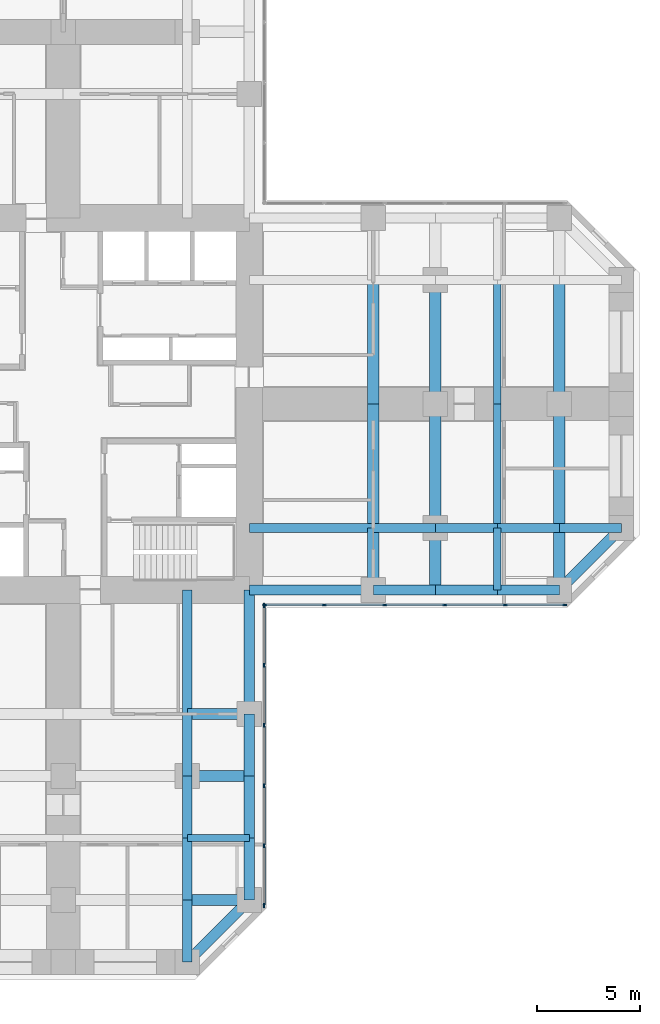
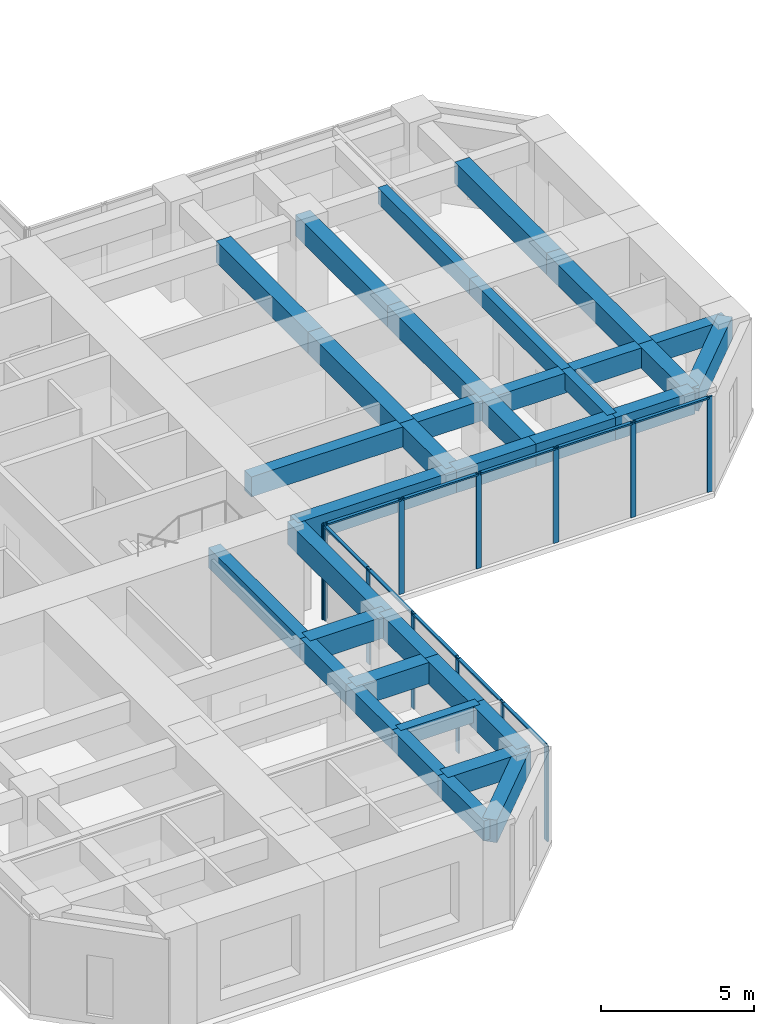
# One storey, part 4 of 13: 36 beams, 22 members, 2 elements without a shape of their own.
"""IFC4 building model written with IfcOpenShell, lengths in metres."""

from ifc_helpers import new_model, si_unit, direction, frame, origin, origin_2d, place, context, subcontext, project, spatial, rectangle, extrude, material, material_profile, profile_set, type_object, element, aggregate, save


model = new_model("IFC4")

# Units and contexts
model_context = context("Model", 3, precision=1e-05, world=origin(), true_north=direction((0.0, 1.0)))
body_context = subcontext(model_context, "Body", "Model", "MODEL_VIEW")
ifc_project = project(units=[si_unit("LENGTHUNIT", "METRE"), si_unit("AREAUNIT", "SQUARE_METRE"), si_unit("VOLUMEUNIT", "CUBIC_METRE"), si_unit("PLANEANGLEUNIT", "RADIAN"), si_unit("MASSUNIT", "GRAM", prefix="KILO")], contexts=[model_context])

# Site, building, storey
site_placement = place(None, origin())
site = spatial("IfcSite", under=ifc_project, at=site_placement, CompositionType="ELEMENT")
building_placement = place(site_placement, origin())
building = spatial("IfcBuilding", under=site, at=building_placement, Name="Torre Cruceta", CompositionType="ELEMENT")
storey_placement = place(building_placement, frame((0.0, 0.0, 27.5)))
storey = spatial("IfcBuildingStorey", under=building, at=storey_placement, Name="L06", CompositionType="ELEMENT", Elevation=27.5)

# Beams
ifc_material_1 = material(Name="Concrete G60 (fck 60 MPa)", Category="concrete")
ifc_material_profile_1 = material_profile(ifc_material_1, rectangle(XDim=0.449951171875, YDim=0.800048828125, at=origin_2d()), Name="RC 450X800")
ifc_profile_set_1 = profile_set([ifc_material_profile_1], Name="Concrete G60 (fck 60 MPa)")
beam_type_1 = type_object("IfcBeamType", Name="COLUMN LINE BEAM RC 450X800", PredefinedType="BEAM", material=ifc_profile_set_1)
beam_1_placement = place(storey_placement, frame((9.0, -6.0, 3.39990234375), z_axis=(1.0, 0.0, 0.0), x_axis=(0.0, 1.0, 0.0)))
element("IfcBeam", 1, at=beam_1_placement, inside=storey, type_object=beam_type_1, Name="LB1 L06 E col- 1", PredefinedType="BEAM", context=body_context, shape_type="SweptSolid", body=[
    extrude(rectangle(XDim=0.449951171875, YDim=0.800048828125, at=origin_2d()), origin(), (0.0, 0.0, 1.0), 6.0),
])
for number, where, z_axis, x_axis, name in (
    (2, (15.0, -6.0, 3.39990234375), (1.0, 0.0, 0.0), (0.0, 1.0, 0.0), "LB1 L06 E col- 2"),
    (3, (18.0, -6.0, 3.39990234375), (1.0, 0.0, 0.0), (0.0, 1.0, 0.0), "LB1 L06 E col- 3"),
    (4, (21.0, -6.0, 3.39990234375), (1.0, 0.0, 0.0), (0.0, 1.0, 0.0), "LB1 L06 E col- 4"),
    (5, (24.0, -6.0, 3.39990234375), (1.0, 0.0, 0.0), (0.0, 1.0, 0.0), "LB1 L06 E col- 5"),
):
    element("IfcBeam", number, at=place(storey_placement, frame(where, z_axis=z_axis, x_axis=x_axis)), inside=storey, type_object=beam_type_1, Name=name, PredefinedType="BEAM", context=body_context, shape_type="SweptSolid", body=[
        extrude(rectangle(XDim=0.449951171875, YDim=0.800048828125, at=origin_2d()), origin(), (0.0, 0.0, 1.0), 3.0),
    ])
beam_2_placement = place(storey_placement, frame((6.0, -9.0, 3.39990234375), z_axis=(0.0, -1.0, 0.0), x_axis=(1.0, 0.0, 0.0)))
element("IfcBeam", 6, at=beam_2_placement, inside=storey, type_object=beam_type_1, Name="LB1 L06 S col+ 1", PredefinedType="BEAM", context=body_context, shape_type="SweptSolid", body=[
    extrude(rectangle(XDim=0.449951171875, YDim=0.800048828125, at=origin_2d()), origin(), (0.0, 0.0, 1.0), 6.0),
])
for number, where, z_axis, x_axis, name in (
    (7, (6.0, -15.0, 3.39990234375), (0.0, -1.0, 0.0), (1.0, 0.0, 0.0), "LB1 L06 S col+ 2"),
    (8, (6.0, -18.0, 3.39990234375), (0.0, -1.0, 0.0), (1.0, 0.0, 0.0), "LB1 L06 S col+ 3"),
    (9, (6.0, -21.0, 3.39990234375), (0.0, -1.0, 0.0), (1.0, 0.0, 0.0), "LB1 L06 S col+ 4"),
    (10, (6.0, -24.0, 3.39990234375), (0.0, -1.0, 0.0), (1.0, 0.0, 0.0), "LB1 L06 S col+ 5"),
):
    element("IfcBeam", number, at=place(storey_placement, frame(where, z_axis=z_axis, x_axis=x_axis)), inside=storey, type_object=beam_type_1, Name=name, PredefinedType="BEAM", context=body_context, shape_type="SweptSolid", body=[
        extrude(rectangle(XDim=0.449951171875, YDim=0.800048828125, at=origin_2d()), origin(), (0.0, 0.0, 1.0), 3.0),
    ])
ifc_material_2 = material(Name="Concrete G60 (fck 60 MPa)", Category="concrete")
ifc_material_profile_2 = material_profile(ifc_material_2, rectangle(XDim=0.550048828125, YDim=0.85009765625, at=origin_2d()), Name="RC 550X850")
ifc_profile_set_2 = profile_set([ifc_material_profile_2], Name="Concrete G60 (fck 60 MPa)")
beam_type_2 = type_object("IfcBeamType", Name="CROSS BEAM RC 550X850", PredefinedType="BEAM", material=ifc_profile_set_2)
beam_3_placement = place(storey_placement, frame((15.0, -9.0, 3.375), z_axis=(0.0, 1.0, 0.0), x_axis=(-1.0, 0.0, 0.0)))
element("IfcBeam", 11, at=beam_3_placement, inside=storey, type_object=beam_type_2, Name="GB4 L06 E cross15 1", PredefinedType="BEAM", context=body_context, shape_type="SweptSolid", body=[
    extrude(rectangle(XDim=0.550048828125, YDim=0.85009765625, at=origin_2d()), origin(), (0.0, 0.0, 1.0), 3.0),
])
for number, where, z_axis, x_axis, name in (
    (12, (15.0, -6.0, 3.375), (0.0, 1.0, 0.0), (-1.0, 0.0, 0.0), "GB4 L06 E cross15 2"),
    (13, (15.0, 0.0, 3.375), (0.0, 1.0, 0.0), (-1.0, 0.0, 0.0), "GB4 L06 E cross15 3"),
):
    element("IfcBeam", number, at=place(storey_placement, frame(where, z_axis=z_axis, x_axis=x_axis)), inside=storey, type_object=beam_type_2, Name=name, PredefinedType="BEAM", context=body_context, shape_type="SweptSolid", body=[
        extrude(rectangle(XDim=0.550048828125, YDim=0.85009765625, at=origin_2d()), origin(), (0.0, 0.0, 1.0), 6.0),
    ])
beam_4_placement = place(storey_placement, frame((18.0, -9.0, 3.375), z_axis=(0.0, 1.0, 0.0), x_axis=(-1.0, 0.0, 0.0)))
element("IfcBeam", 14, at=beam_4_placement, inside=storey, type_object=beam_type_2, Name="GB4 L06 E cross18 1", PredefinedType="BEAM", context=body_context, shape_type="SweptSolid", body=[
    extrude(rectangle(XDim=0.550048828125, YDim=0.85009765625, at=origin_2d()), origin(), (0.0, 0.0, 1.0), 3.0),
])
for number, where, z_axis, x_axis, name in (
    (15, (18.0, -6.0, 3.375), (0.0, 1.0, 0.0), (-1.0, 0.0, 0.0), "GB4 L06 E cross18 2"),
    (16, (18.0, 0.0, 3.375), (0.0, 1.0, 0.0), (-1.0, 0.0, 0.0), "GB4 L06 E cross18 3"),
):
    element("IfcBeam", number, at=place(storey_placement, frame(where, z_axis=z_axis, x_axis=x_axis)), inside=storey, type_object=beam_type_2, Name=name, PredefinedType="BEAM", context=body_context, shape_type="SweptSolid", body=[
        extrude(rectangle(XDim=0.550048828125, YDim=0.85009765625, at=origin_2d()), origin(), (0.0, 0.0, 1.0), 6.0),
    ])
beam_5_placement = place(storey_placement, frame((24.0, -9.0, 3.375), z_axis=(0.0, 1.0, 0.0), x_axis=(-1.0, 0.0, 0.0)))
element("IfcBeam", 17, at=beam_5_placement, inside=storey, type_object=beam_type_2, Name="GB4 L06 E cross24 1", PredefinedType="BEAM", context=body_context, shape_type="SweptSolid", body=[
    extrude(rectangle(XDim=0.550048828125, YDim=0.85009765625, at=origin_2d()), origin(), (0.0, 0.0, 1.0), 3.0),
])
for number, where, z_axis, x_axis, name in (
    (18, (24.0, -6.0, 3.375), (0.0, 1.0, 0.0), (-1.0, 0.0, 0.0), "GB4 L06 E cross24 2"),
    (19, (24.0, 0.0, 3.375), (0.0, 1.0, 0.0), (-1.0, 0.0, 0.0), "GB4 L06 E cross24 3"),
):
    element("IfcBeam", number, at=place(storey_placement, frame(where, z_axis=z_axis, x_axis=x_axis)), inside=storey, type_object=beam_type_2, Name=name, PredefinedType="BEAM", context=body_context, shape_type="SweptSolid", body=[
        extrude(rectangle(XDim=0.550048828125, YDim=0.85009765625, at=origin_2d()), origin(), (0.0, 0.0, 1.0), 6.0),
    ])
for number, where, z_axis, x_axis, name in (
    (20, (6.0, -15.0, 3.375), (1.0, 0.0, 0.0), (0.0, 1.0, 0.0), "GB4 L06 S cross15 4"),
    (21, (6.0, -18.0, 3.375), (1.0, 0.0, 0.0), (0.0, 1.0, 0.0), "GB4 L06 S cross18 4"),
    (22, (6.0, -24.0, 3.375), (1.0, 0.0, 0.0), (0.0, 1.0, 0.0), "GB4 L06 S cross24 4"),
):
    element("IfcBeam", number, at=place(storey_placement, frame(where, z_axis=z_axis, x_axis=x_axis)), inside=storey, type_object=beam_type_2, Name=name, PredefinedType="BEAM", context=body_context, shape_type="SweptSolid", body=[
        extrude(rectangle(XDim=0.550048828125, YDim=0.85009765625, at=origin_2d()), origin(), (0.0, 0.0, 1.0), 3.0),
    ])

# Curtain wall, members
ifc_material_3 = material(Name="Aluminium unitised curtain wall", Category="aluminium")
curtain_wall_type = type_object("IfcCurtainWallType", Name="CURTAIN WALL CW-A OFFICE LOW RISE", PredefinedType="USERDEFINED", material=ifc_material_3)
curtain_wall_1_placement = place(storey_placement, origin())
curtain_wall_1 = element("IfcCurtainWall", 23, at=curtain_wall_1_placement, inside=storey, type_object=curtain_wall_type, Name="CW-A L06 E side 00", ObjectType="UNITISED", PredefinedType="USERDEFINED")
ifc_material_4 = material(Name="Aluminium mullion", Category="aluminium")
ifc_material_profile_3 = material_profile(ifc_material_4, rectangle(XDim=0.06494140625, YDim=0.199951171875, at=origin_2d()), Name="AL 65X200")
ifc_profile_set_3 = profile_set([ifc_material_profile_3], Name="Aluminium mullion")
member_type_1 = type_object("IfcMemberType", Name="CW-A MULLION 65X200", PredefinedType="MULLION", material=ifc_profile_set_3)
member_1_placement = place(storey_placement, frame((9.75244140625, -9.719970703125, 0.0), z_axis=(0.0, 0.0, 1.0), x_axis=(0.0, 1.0, 0.0)))
member_1 = element("IfcMember", 24, at=member_1_placement, type_object=member_type_1, Name="CW-A mullion 1", PredefinedType="MULLION", context=body_context, shape_type="SweptSolid", body=[
    extrude(rectangle(XDim=0.06494140625, YDim=0.199951171875, at=origin_2d()), origin(), (0.0, 0.0, 1.0), 3.800048828125),
])
member_2_placement = place(storey_placement, frame((12.6357421875, -9.719970703125, 0.0), z_axis=(0.0, 0.0, 1.0), x_axis=(0.0, 1.0, 0.0)))
member_2 = element("IfcMember", 25, at=member_2_placement, type_object=member_type_1, Name="CW-A mullion 2", PredefinedType="MULLION", context=body_context, shape_type="SweptSolid", body=[
    extrude(rectangle(XDim=0.06494140625, YDim=0.199951171875, at=origin_2d()), origin(), (0.0, 0.0, 1.0), 3.800048828125),
])
member_3_placement = place(storey_placement, frame((15.55126953125, -9.719970703125, 0.0), z_axis=(0.0, 0.0, 1.0), x_axis=(0.0, 1.0, 0.0)))
member_3 = element("IfcMember", 26, at=member_3_placement, type_object=member_type_1, Name="CW-A mullion 3", PredefinedType="MULLION", context=body_context, shape_type="SweptSolid", body=[
    extrude(rectangle(XDim=0.06494140625, YDim=0.199951171875, at=origin_2d()), origin(), (0.0, 0.0, 1.0), 3.800048828125),
])
member_4_placement = place(storey_placement, frame((18.467041015625, -9.719970703125, 0.0), z_axis=(0.0, 0.0, 1.0), x_axis=(0.0, 1.0, 0.0)))
member_4 = element("IfcMember", 27, at=member_4_placement, type_object=member_type_1, Name="CW-A mullion 4", PredefinedType="MULLION", context=body_context, shape_type="SweptSolid", body=[
    extrude(rectangle(XDim=0.06494140625, YDim=0.199951171875, at=origin_2d()), origin(), (0.0, 0.0, 1.0), 3.800048828125),
])
member_5_placement = place(storey_placement, frame((21.382568359375, -9.719970703125, 0.0), z_axis=(0.0, 0.0, 1.0), x_axis=(0.0, 1.0, 0.0)))
member_5 = element("IfcMember", 28, at=member_5_placement, type_object=member_type_1, Name="CW-A mullion 5", PredefinedType="MULLION", context=body_context, shape_type="SweptSolid", body=[
    extrude(rectangle(XDim=0.06494140625, YDim=0.199951171875, at=origin_2d()), origin(), (0.0, 0.0, 1.0), 3.800048828125),
])
member_6_placement = place(storey_placement, frame((24.265625, -9.719970703125, 0.0), z_axis=(0.0, 0.0, 1.0), x_axis=(0.0, 1.0, 0.0)))
member_6 = element("IfcMember", 29, at=member_6_placement, type_object=member_type_1, Name="CW-A mullion 6", PredefinedType="MULLION", context=body_context, shape_type="SweptSolid", body=[
    extrude(rectangle(XDim=0.06494140625, YDim=0.199951171875, at=origin_2d()), origin(), (0.0, 0.0, 1.0), 3.800048828125),
])

curtain_wall_2_placement = place(storey_placement, origin())
curtain_wall_2 = element("IfcCurtainWall", 30, at=curtain_wall_2_placement, inside=storey, type_object=curtain_wall_type, Name="CW-A L06 S side 19", ObjectType="UNITISED", PredefinedType="USERDEFINED")
member_7_placement = place(storey_placement, frame((9.719970703125, -24.265625, 0.0), z_axis=(0.0, 0.0, 1.0), x_axis=(-1.0, 0.0, 0.0)))
member_7 = element("IfcMember", 31, at=member_7_placement, type_object=member_type_1, Name="CW-A mullion 1", PredefinedType="MULLION", context=body_context, shape_type="SweptSolid", body=[
    extrude(rectangle(XDim=0.06494140625, YDim=0.199951171875, at=origin_2d()), origin(), (0.0, 0.0, 1.0), 3.800048828125),
])
member_8_placement = place(storey_placement, frame((9.719970703125, -21.382568359375, 0.0), z_axis=(0.0, 0.0, 1.0), x_axis=(-1.0, 0.0, 0.0)))
member_8 = element("IfcMember", 32, at=member_8_placement, type_object=member_type_1, Name="CW-A mullion 2", PredefinedType="MULLION", context=body_context, shape_type="SweptSolid", body=[
    extrude(rectangle(XDim=0.06494140625, YDim=0.199951171875, at=origin_2d()), origin(), (0.0, 0.0, 1.0), 3.800048828125),
])
member_9_placement = place(storey_placement, frame((9.719970703125, -18.467041015625, 0.0), z_axis=(0.0, 0.0, 1.0), x_axis=(-1.0, 0.0, 0.0)))
member_9 = element("IfcMember", 33, at=member_9_placement, type_object=member_type_1, Name="CW-A mullion 3", PredefinedType="MULLION", context=body_context, shape_type="SweptSolid", body=[
    extrude(rectangle(XDim=0.06494140625, YDim=0.199951171875, at=origin_2d()), origin(), (0.0, 0.0, 1.0), 3.800048828125),
])
member_10_placement = place(storey_placement, frame((9.719970703125, -15.55126953125, 0.0), z_axis=(0.0, 0.0, 1.0), x_axis=(-1.0, 0.0, 0.0)))
member_10 = element("IfcMember", 34, at=member_10_placement, type_object=member_type_1, Name="CW-A mullion 4", PredefinedType="MULLION", context=body_context, shape_type="SweptSolid", body=[
    extrude(rectangle(XDim=0.06494140625, YDim=0.199951171875, at=origin_2d()), origin(), (0.0, 0.0, 1.0), 3.800048828125),
])
member_11_placement = place(storey_placement, frame((9.719970703125, -12.6357421875, 0.0), z_axis=(0.0, 0.0, 1.0), x_axis=(-1.0, 0.0, 0.0)))
member_11 = element("IfcMember", 35, at=member_11_placement, type_object=member_type_1, Name="CW-A mullion 5", PredefinedType="MULLION", context=body_context, shape_type="SweptSolid", body=[
    extrude(rectangle(XDim=0.06494140625, YDim=0.199951171875, at=origin_2d()), origin(), (0.0, 0.0, 1.0), 3.800048828125),
])
member_12_placement = place(storey_placement, frame((9.719970703125, -9.75244140625, 0.0), z_axis=(0.0, 0.0, 1.0), x_axis=(-1.0, 0.0, 0.0)))
member_12 = element("IfcMember", 36, at=member_12_placement, type_object=member_type_1, Name="CW-A mullion 6", PredefinedType="MULLION", context=body_context, shape_type="SweptSolid", body=[
    extrude(rectangle(XDim=0.06494140625, YDim=0.199951171875, at=origin_2d()), origin(), (0.0, 0.0, 1.0), 3.800048828125),
])

# Member
ifc_material_5 = material(Name="Aluminium transom", Category="aluminium")
ifc_material_profile_4 = material_profile(ifc_material_5, rectangle(XDim=0.1201171875, YDim=0.06494140625, at=origin_2d()), Name="AL 120X65")
ifc_profile_set_4 = profile_set([ifc_material_profile_4], Name="Aluminium transom")
member_type_2 = type_object("IfcMemberType", Name="CW-A TRANSOM 65X120", PredefinedType="USERDEFINED", material=ifc_profile_set_4)
member_13_placement = place(storey_placement, frame((9.784912109375, -9.719970703125, 3.767578125), z_axis=(1.0, 0.0, 0.0), x_axis=(0.0, 1.0, 0.0)))
member_13 = element("IfcMember", 37, at=member_13_placement, type_object=member_type_2, Name="CW-A transom 1", ObjectType="TRANSOM", PredefinedType="USERDEFINED", context=body_context, shape_type="SweptSolid", body=[
    extrude(rectangle(XDim=0.1201171875, YDim=0.06494140625, at=origin_2d()), origin(), (0.0, 0.0, 1.0), 2.818115234375),
])

member_14_placement = place(storey_placement, frame((12.668212890625, -9.719970703125, 3.767578125), z_axis=(1.0, 0.0, 0.0), x_axis=(0.0, 1.0, 0.0)))
member_14 = element("IfcMember", 38, at=member_14_placement, type_object=member_type_2, Name="CW-A transom 2", ObjectType="TRANSOM", PredefinedType="USERDEFINED", context=body_context, shape_type="SweptSolid", body=[
    extrude(rectangle(XDim=0.1201171875, YDim=0.06494140625, at=origin_2d()), origin(), (0.0, 0.0, 1.0), 2.8505859375),
])

member_15_placement = place(storey_placement, frame((15.583740234375, -9.719970703125, 3.767578125), z_axis=(1.0, 0.0, 0.0), x_axis=(0.0, 1.0, 0.0)))
member_15 = element("IfcMember", 39, at=member_15_placement, type_object=member_type_2, Name="CW-A transom 3", ObjectType="TRANSOM", PredefinedType="USERDEFINED", context=body_context, shape_type="SweptSolid", body=[
    extrude(rectangle(XDim=0.1201171875, YDim=0.06494140625, at=origin_2d()), origin(), (0.0, 0.0, 1.0), 2.8505859375),
])

member_16_placement = place(storey_placement, frame((18.49951171875, -9.719970703125, 3.767578125), z_axis=(1.0, 0.0, 0.0), x_axis=(0.0, 1.0, 0.0)))
member_16 = element("IfcMember", 40, at=member_16_placement, type_object=member_type_2, Name="CW-A transom 4", ObjectType="TRANSOM", PredefinedType="USERDEFINED", context=body_context, shape_type="SweptSolid", body=[
    extrude(rectangle(XDim=0.1201171875, YDim=0.06494140625, at=origin_2d()), origin(), (0.0, 0.0, 1.0), 2.8505859375),
])

member_17_placement = place(storey_placement, frame((21.4150390625, -9.719970703125, 3.767578125), z_axis=(1.0, 0.0, 0.0), x_axis=(0.0, 1.0, 0.0)))
member_17 = element("IfcMember", 41, at=member_17_placement, type_object=member_type_2, Name="CW-A transom 5", ObjectType="TRANSOM", PredefinedType="USERDEFINED", context=body_context, shape_type="SweptSolid", body=[
    extrude(rectangle(XDim=0.1201171875, YDim=0.06494140625, at=origin_2d()), origin(), (0.0, 0.0, 1.0), 2.818115234375),
])

aggregate(curtain_wall_1, [member_1, member_2, member_3, member_4, member_5, member_6, member_13, member_14, member_15, member_16, member_17])

member_18_placement = place(storey_placement, frame((9.719970703125, -24.233154296875, 3.767578125), z_axis=(0.0, 1.0, 0.0), x_axis=(-1.0, 0.0, 0.0)))
member_18 = element("IfcMember", 42, at=member_18_placement, type_object=member_type_2, Name="CW-A transom 1", ObjectType="TRANSOM", PredefinedType="USERDEFINED", context=body_context, shape_type="SweptSolid", body=[
    extrude(rectangle(XDim=0.1201171875, YDim=0.06494140625, at=origin_2d()), origin(), (0.0, 0.0, 1.0), 2.818115234375),
])

member_19_placement = place(storey_placement, frame((9.719970703125, -21.35009765625, 3.767578125), z_axis=(0.0, 1.0, 0.0), x_axis=(-1.0, 0.0, 0.0)))
member_19 = element("IfcMember", 43, at=member_19_placement, type_object=member_type_2, Name="CW-A transom 2", ObjectType="TRANSOM", PredefinedType="USERDEFINED", context=body_context, shape_type="SweptSolid", body=[
    extrude(rectangle(XDim=0.1201171875, YDim=0.06494140625, at=origin_2d()), origin(), (0.0, 0.0, 1.0), 2.8505859375),
])

member_20_placement = place(storey_placement, frame((9.719970703125, -18.434326171875, 3.767578125), z_axis=(0.0, 1.0, 0.0), x_axis=(-1.0, 0.0, 0.0)))
member_20 = element("IfcMember", 44, at=member_20_placement, type_object=member_type_2, Name="CW-A transom 3", ObjectType="TRANSOM", PredefinedType="USERDEFINED", context=body_context, shape_type="SweptSolid", body=[
    extrude(rectangle(XDim=0.1201171875, YDim=0.06494140625, at=origin_2d()), origin(), (0.0, 0.0, 1.0), 2.8505859375),
])

member_21_placement = place(storey_placement, frame((9.719970703125, -15.518798828125, 3.767578125), z_axis=(0.0, 1.0, 0.0), x_axis=(-1.0, 0.0, 0.0)))
member_21 = element("IfcMember", 45, at=member_21_placement, type_object=member_type_2, Name="CW-A transom 4", ObjectType="TRANSOM", PredefinedType="USERDEFINED", context=body_context, shape_type="SweptSolid", body=[
    extrude(rectangle(XDim=0.1201171875, YDim=0.06494140625, at=origin_2d()), origin(), (0.0, 0.0, 1.0), 2.8505859375),
])

member_22_placement = place(storey_placement, frame((9.719970703125, -12.60302734375, 3.767578125), z_axis=(0.0, 1.0, 0.0), x_axis=(-1.0, 0.0, 0.0)))
member_22 = element("IfcMember", 46, at=member_22_placement, type_object=member_type_2, Name="CW-A transom 5", ObjectType="TRANSOM", PredefinedType="USERDEFINED", context=body_context, shape_type="SweptSolid", body=[
    extrude(rectangle(XDim=0.1201171875, YDim=0.06494140625, at=origin_2d()), origin(), (0.0, 0.0, 1.0), 2.818115234375),
])

aggregate(curtain_wall_2, [member_7, member_8, member_9, member_10, member_11, member_12, member_18, member_19, member_20, member_21, member_22])

# Beams
ifc_material_6 = material(Name="Concrete G60 (fck 60 MPa)", Category="concrete")
ifc_material_profile_5 = material_profile(ifc_material_6, rectangle(XDim=0.35009765625, YDim=0.64990234375, at=origin_2d()), Name="RC 350X650")
ifc_profile_set_5 = profile_set([ifc_material_profile_5], Name="Concrete G60 (fck 60 MPa)")
beam_type_3 = type_object("IfcBeamType", Name="SECONDARY BEAM RC 350X650", PredefinedType="JOIST", material=ifc_profile_set_5)
beam_6_placement = place(storey_placement, frame((21.0, -9.0, 3.47509765625), z_axis=(0.0, 1.0, 0.0), x_axis=(-1.0, 0.0, 0.0)))
element("IfcBeam", 47, at=beam_6_placement, inside=storey, type_object=beam_type_3, Name="JB3 L06 E sec21 1", PredefinedType="JOIST", context=body_context, shape_type="SweptSolid", body=[
    extrude(rectangle(XDim=0.35009765625, YDim=0.64990234375, at=origin_2d()), origin(), (0.0, 0.0, 1.0), 3.0),
])
for number, where, z_axis, x_axis, name in (
    (48, (21.0, -6.0, 3.47509765625), (0.0, 1.0, 0.0), (-1.0, 0.0, 0.0), "JB3 L06 E sec21 2"),
    (49, (21.0, 0.0, 3.47509765625), (0.0, 1.0, 0.0), (-1.0, 0.0, 0.0), "JB3 L06 E sec21 3"),
):
    element("IfcBeam", number, at=place(storey_placement, frame(where, z_axis=z_axis, x_axis=x_axis)), inside=storey, type_object=beam_type_3, Name=name, PredefinedType="JOIST", context=body_context, shape_type="SweptSolid", body=[
        extrude(rectangle(XDim=0.35009765625, YDim=0.64990234375, at=origin_2d()), origin(), (0.0, 0.0, 1.0), 6.0),
    ])
beam_7_placement = place(storey_placement, frame((6.0, -21.0, 3.47509765625), z_axis=(1.0, 0.0, 0.0), x_axis=(0.0, 1.0, 0.0)))
element("IfcBeam", 50, at=beam_7_placement, inside=storey, type_object=beam_type_3, Name="JB3 L06 S sec21 4", PredefinedType="JOIST", context=body_context, shape_type="SweptSolid", body=[
    extrude(rectangle(XDim=0.35009765625, YDim=0.64990234375, at=origin_2d()), origin(), (0.0, 0.0, 1.0), 3.0),
])
ifc_material_7 = material(Name="Concrete G60 (fck 60 MPa)", Category="concrete")
ifc_material_profile_6 = material_profile(ifc_material_7, rectangle(XDim=0.5, YDim=0.89990234375, at=origin_2d()), Name="RC 500X900")
ifc_profile_set_6 = profile_set([ifc_material_profile_6], Name="Concrete G60 (fck 60 MPa)")
beam_type_4 = type_object("IfcBeamType", Name="SPANDREL BEAM RC 500X900", PredefinedType="SPANDREL", material=ifc_profile_set_6)
beam_8_placement = place(storey_placement, frame((9.0, -9.0, 3.35009765625), z_axis=(1.0, 0.0, 0.0), x_axis=(0.0, 1.0, 0.0)))
element("IfcBeam", 51, at=beam_8_placement, inside=storey, type_object=beam_type_4, Name="SB4 L06 E side- 1", PredefinedType="SPANDREL", context=body_context, shape_type="SweptSolid", body=[
    extrude(rectangle(XDim=0.5, YDim=0.89990234375, at=origin_2d()), origin(), (0.0, 0.0, 1.0), 6.0),
])
for number, where, z_axis, x_axis, name in (
    (52, (15.0, -9.0, 3.35009765625), (1.0, 0.0, 0.0), (0.0, 1.0, 0.0), "SB4 L06 E side- 2"),
    (53, (18.0, -9.0, 3.35009765625), (1.0, 0.0, 0.0), (0.0, 1.0, 0.0), "SB4 L06 E side- 3"),
    (54, (21.0, -9.0, 3.35009765625), (1.0, 0.0, 0.0), (0.0, 1.0, 0.0), "SB4 L06 E side- 4"),
):
    element("IfcBeam", number, at=place(storey_placement, frame(where, z_axis=z_axis, x_axis=x_axis)), inside=storey, type_object=beam_type_4, Name=name, PredefinedType="SPANDREL", context=body_context, shape_type="SweptSolid", body=[
        extrude(rectangle(XDim=0.5, YDim=0.89990234375, at=origin_2d()), origin(), (0.0, 0.0, 1.0), 3.0),
    ])
beam_9_placement = place(storey_placement, frame((24.0, -9.0, 3.35009765625), z_axis=(0.707106781187, 0.707106781187, 0.0), x_axis=(-0.707106781187, 0.707106781187, 0.0)))
element("IfcBeam", 55, at=beam_9_placement, inside=storey, type_object=beam_type_4, Name="SB4 L06 E side- 5", PredefinedType="SPANDREL", context=body_context, shape_type="SweptSolid", body=[
    extrude(rectangle(XDim=0.5, YDim=0.89990234375, at=origin_2d()), origin(), (0.0, 0.0, 1.0), 4.24267578125),
])
beam_10_placement = place(storey_placement, frame((9.0, -9.0, 3.35009765625), z_axis=(0.0, -1.0, 0.0), x_axis=(1.0, 0.0, 0.0)))
element("IfcBeam", 56, at=beam_10_placement, inside=storey, type_object=beam_type_4, Name="SB4 L06 S side+ 1", PredefinedType="SPANDREL", context=body_context, shape_type="SweptSolid", body=[
    extrude(rectangle(XDim=0.5, YDim=0.89990234375, at=origin_2d()), origin(), (0.0, 0.0, 1.0), 6.0),
])
for number, where, z_axis, x_axis, name in (
    (57, (9.0, -15.0, 3.35009765625), (0.0, -1.0, 0.0), (1.0, 0.0, 0.0), "SB4 L06 S side+ 2"),
    (58, (9.0, -18.0, 3.35009765625), (0.0, -1.0, 0.0), (1.0, 0.0, 0.0), "SB4 L06 S side+ 3"),
    (59, (9.0, -21.0, 3.35009765625), (0.0, -1.0, 0.0), (1.0, 0.0, 0.0), "SB4 L06 S side+ 4"),
):
    element("IfcBeam", number, at=place(storey_placement, frame(where, z_axis=z_axis, x_axis=x_axis)), inside=storey, type_object=beam_type_4, Name=name, PredefinedType="SPANDREL", context=body_context, shape_type="SweptSolid", body=[
        extrude(rectangle(XDim=0.5, YDim=0.89990234375, at=origin_2d()), origin(), (0.0, 0.0, 1.0), 3.0),
    ])
beam_11_placement = place(storey_placement, frame((9.0, -24.0, 3.35009765625), z_axis=(-0.707106781187, -0.707106781187, 0.0), x_axis=(0.707106781187, -0.707106781187, 0.0)))
element("IfcBeam", 60, at=beam_11_placement, inside=storey, type_object=beam_type_4, Name="SB4 L06 S side+ 5", PredefinedType="SPANDREL", context=body_context, shape_type="SweptSolid", body=[
    extrude(rectangle(XDim=0.5, YDim=0.89990234375, at=origin_2d()), origin(), (0.0, 0.0, 1.0), 4.24267578125),
])

save(model, "model.ifc")
